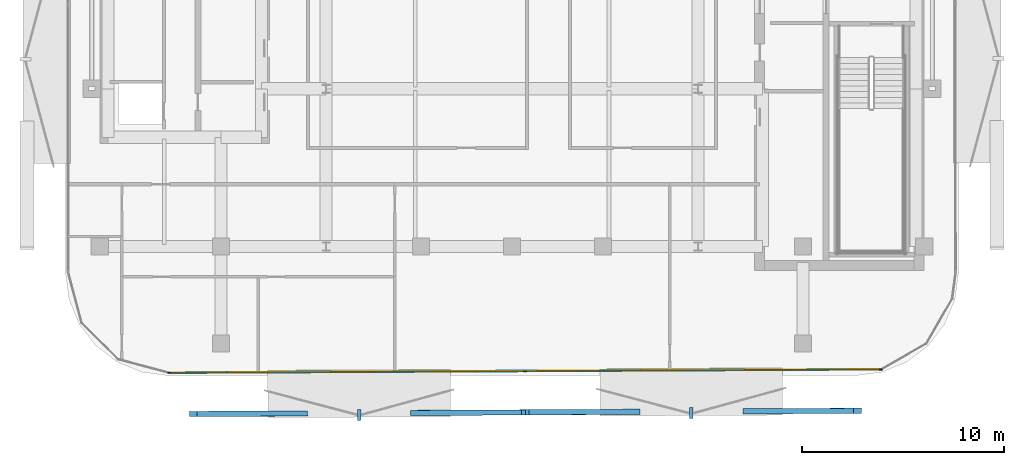
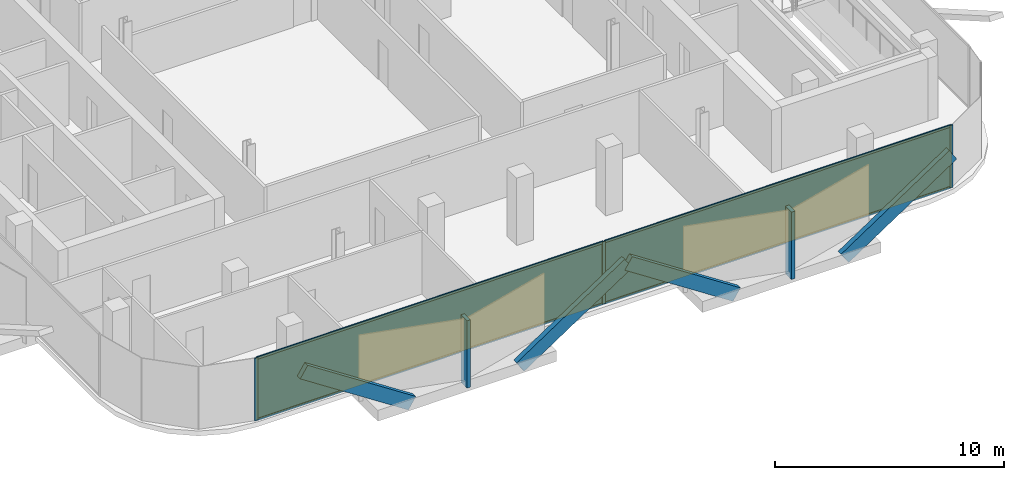
# One storey, part 7 of 14: 13 members, 2 plates, 1 curtain wall.
"""IFC4 building model written with IfcOpenShell, lengths in metres."""

from ifc_helpers import new_model, si_unit, direction, frame, frame_2d, origin, origin_2d, place, context, subcontext, project, spatial, rectangle, extrude, material, layer, layer_set, material_profile, profile_set, type_object, element, aggregate, save


model = new_model("IFC4")

# Units and contexts
model_context = context("Model", 3, precision=1e-05, world=origin(), true_north=direction((0.0, 1.0)))
body_context = subcontext(model_context, "Body", "Model", "MODEL_VIEW")
ifc_project = project(units=[si_unit("LENGTHUNIT", "METRE"), si_unit("AREAUNIT", "SQUARE_METRE"), si_unit("VOLUMEUNIT", "CUBIC_METRE"), si_unit("PLANEANGLEUNIT", "RADIAN"), si_unit("MASSUNIT", "GRAM", prefix="KILO")], contexts=[model_context])

# Member
ifc_material_1 = material(Name="Anodised Bronze Aluminium 6063-T6", Category="aluminium")
ifc_material_profile_1 = material_profile(ifc_material_1, rectangle(XDim=0.260009765625, YDim=0.699951171875, at=origin_2d()))
ifc_profile_set_1 = profile_set([ifc_material_profile_1], Name="Anodised Bronze Aluminium 6063-T6")
member_type_1 = type_object("IfcMemberType", Name="Bronze Diamond Solar-Screen Lattice Rib BDL-700", PredefinedType="MULLION", material=ifc_profile_set_1)
site_placement = place(None, origin())
building_placement = place(site_placement, origin())
storey_placement = place(building_placement, frame((0.0, 0.0, 240.39990234375)))
member_1_placement = place(storey_placement, frame((6.13525390625, -26.788330078125, -0.1298828125), z_axis=(-0.835725939674, -0.004059091321, 0.549131748794), x_axis=(-0.007540370975, 0.999963230548, -0.004084159318)))
member_1 = element("IfcMember", 1, at=member_1_placement, type_object=member_type_1, Name="L56 Bronze Diamond Solar Screen Lattice Rib 377A", PredefinedType="MULLION", context=body_context, shape_type="SweptSolid", body=[
    extrude(rectangle(XDim=0.260009765625, YDim=0.699951171875, at=origin_2d()), origin(), (0.0, 0.0, 1.0), 6.555908203125),
])

member_2_placement = place(storey_placement, frame((11.6142578125, -26.761962890625, -0.1298828125), z_axis=(0.835737294876, 0.004021727391, 0.549114741801), x_axis=(0.007495516814, -0.999963567548, -0.004084213926)))
member_2 = element("IfcMember", 2, at=member_2_placement, type_object=member_type_1, Name="L56 Bronze Diamond Solar Screen Lattice Rib 377B", PredefinedType="MULLION", context=body_context, shape_type="SweptSolid", body=[
    extrude(rectangle(XDim=0.260009765625, YDim=0.699951171875, at=origin_2d()), origin(), (0.0, 0.0, 1.0), 6.55615234375),
])

member_3_placement = place(storey_placement, frame((-10.302001953125, -26.86767578125, -0.1298828125), z_axis=(-0.835725939674, -0.004059091321, 0.549131748794), x_axis=(-0.007540370975, 0.999963230548, -0.004084159318)))
member_3 = element("IfcMember", 3, at=member_3_placement, type_object=member_type_1, Name="L56 Bronze Diamond Solar Screen Lattice Rib 378A", PredefinedType="MULLION", context=body_context, shape_type="SweptSolid", body=[
    extrude(rectangle(XDim=0.260009765625, YDim=0.699951171875, at=origin_2d()), origin(), (0.0, 0.0, 1.0), 6.555908203125),
])

member_4_placement = place(storey_placement, frame((-4.822998046875, -26.84130859375, -0.1298828125), z_axis=(0.835737294876, 0.004021727391, 0.549114741801), x_axis=(0.007495516814, -0.999963567548, -0.004084213926)))
member_4 = element("IfcMember", 4, at=member_4_placement, type_object=member_type_1, Name="L56 Bronze Diamond Solar Screen Lattice Rib 378B", PredefinedType="MULLION", context=body_context, shape_type="SweptSolid", body=[
    extrude(rectangle(XDim=0.260009765625, YDim=0.699951171875, at=origin_2d()), origin(), (0.0, 0.0, 1.0), 6.55615234375),
])

ifc_material_2 = material(Name="Anodised Bronze Aluminium 6063-T6", Category="aluminium")
ifc_material_profile_2 = material_profile(ifc_material_2, rectangle(XDim=0.179931640625, YDim=0.5400390625, at=origin_2d()))
ifc_profile_set_2 = profile_set([ifc_material_profile_2], Name="Anodised Bronze Aluminium 6063-T6")
member_type_2 = type_object("IfcMemberType", Name="Bronze Solar-Screen Vertical Fold Fin BSF-540", PredefinedType="MULLION", material=ifc_profile_set_2)
member_5_placement = place(storey_placement, frame((8.875244140625, -26.855224609375, -0.1298828125), z_axis=(0.0, 0.0, 1.0), x_axis=(-0.999988059021, -0.004886902454, 0.0)))
member_5 = element("IfcMember", 5, at=member_5_placement, type_object=member_type_2, Name="L56 Bronze Solar Screen Vertical Fin 377", PredefinedType="MULLION", context=body_context, shape_type="SweptSolid", body=[
    extrude(rectangle(XDim=0.179931640625, YDim=0.5400390625, at=origin_2d()), origin(), (0.0, 0.0, 1.0), 3.60009765625),
])

member_6_placement = place(storey_placement, frame((-7.56201171875, -26.9345703125, -0.1298828125), z_axis=(0.0, 0.0, 1.0), x_axis=(-0.999988059021, -0.004886902454, 0.0)))
member_6 = element("IfcMember", 6, at=member_6_placement, type_object=member_type_2, Name="L56 Bronze Solar Screen Vertical Fin 378", PredefinedType="MULLION", context=body_context, shape_type="SweptSolid", body=[
    extrude(rectangle(XDim=0.179931640625, YDim=0.5400390625, at=origin_2d()), origin(), (0.0, 0.0, 1.0), 3.60009765625),
])

ifc_material_3 = material(Name="Anodised Bronze Aluminium 6063-T6", Category="aluminium")
ifc_material_profile_3 = material_profile(ifc_material_3, rectangle(XDim=0.06005859375, YDim=0.159912109375, at=origin_2d()))
ifc_profile_set_3 = profile_set([ifc_material_profile_3], Name="Anodised Bronze Aluminium 6063-T6")
member_type_3 = type_object("IfcMemberType", Name="CW-Z4 Mullion 60x160", PredefinedType="MULLION", material=ifc_profile_set_3)
member_7_placement = place(storey_placement, frame((18.25341796875, -24.68994140625, 0.0), z_axis=(0.0, 0.0, 1.0), x_axis=(0.004824986425, -0.999988359685, 0.0)))
member_7 = element("IfcMember", 7, at=member_7_placement, type_object=member_type_3, Name="CW-Z4 mullion 1", PredefinedType="MULLION", context=body_context, shape_type="SweptSolid", body=[
    extrude(rectangle(XDim=0.06005859375, YDim=0.159912109375, at=origin_2d()), origin(), (0.0, 0.0, 1.0), 3.340087890625),
])

member_8_placement = place(storey_placement, frame((0.646240234375, -24.77490234375, 0.0), z_axis=(0.0, 0.0, 1.0), x_axis=(0.004824986425, -0.999988359685, 0.0)))
member_8 = element("IfcMember", 8, at=member_8_placement, type_object=member_type_3, Name="CW-Z4 mullion 2", PredefinedType="MULLION", context=body_context, shape_type="SweptSolid", body=[
    extrude(rectangle(XDim=0.06005859375, YDim=0.159912109375, at=origin_2d()), origin(), (0.0, 0.0, 1.0), 3.340087890625),
])

member_9_placement = place(storey_placement, frame((-16.960693359375, -24.85986328125, 0.0), z_axis=(0.0, 0.0, 1.0), x_axis=(0.004824986425, -0.999988359685, 0.0)))
member_9 = element("IfcMember", 9, at=member_9_placement, type_object=member_type_3, Name="CW-Z4 mullion 3", PredefinedType="MULLION", context=body_context, shape_type="SweptSolid", body=[
    extrude(rectangle(XDim=0.06005859375, YDim=0.159912109375, at=origin_2d()), origin(), (0.0, 0.0, 1.0), 3.340087890625),
])

ifc_material_4 = material(Name="Anodised Bronze Aluminium 6063-T6", Category="aluminium")
ifc_material_profile_4 = material_profile(ifc_material_4, rectangle(XDim=0.06005859375, YDim=0.125, at=origin_2d()))
ifc_profile_set_4 = profile_set([ifc_material_profile_4], Name="Anodised Bronze Aluminium 6063-T6")
member_type_4 = type_object("IfcMemberType", Name="CW-Z4 Transom 60x125", PredefinedType="USERDEFINED", material=ifc_profile_set_4)
member_10_placement = place(storey_placement, frame((18.223388671875, -24.690185546875, 0.030029296875), z_axis=(-0.999988412677, -0.004813991218, 0.0), x_axis=(0.004813991218, -0.999988412677, 0.0)))
member_10 = element("IfcMember", 10, at=member_10_placement, type_object=member_type_4, Name="CW-Z4 transom 1.1", ObjectType="TRANSOM", PredefinedType="USERDEFINED", context=body_context, shape_type="SweptSolid", body=[
    extrude(rectangle(XDim=0.06005859375, YDim=0.125, at=origin_2d()), origin(), (0.0, 0.0, 1.0), 17.54736328125),
])

member_11_placement = place(storey_placement, frame((18.223388671875, -24.690185546875, 3.31005859375), z_axis=(-0.999988412677, -0.004813991218, 0.0), x_axis=(0.004813991218, -0.999988412677, 0.0)))
member_11 = element("IfcMember", 11, at=member_11_placement, type_object=member_type_4, Name="CW-Z4 transom 1.2", ObjectType="TRANSOM", PredefinedType="USERDEFINED", context=body_context, shape_type="SweptSolid", body=[
    extrude(rectangle(XDim=0.06005859375, YDim=0.125, at=origin_2d()), origin(), (0.0, 0.0, 1.0), 17.54736328125),
])

member_12_placement = place(storey_placement, frame((0.616455078125, -24.775146484375, 0.030029296875), z_axis=(-0.999988413, -0.004813924241, 0.0), x_axis=(0.004813924241, -0.999988413, 0.0)))
member_12 = element("IfcMember", 12, at=member_12_placement, type_object=member_type_4, Name="CW-Z4 transom 2.1", ObjectType="TRANSOM", PredefinedType="USERDEFINED", context=body_context, shape_type="SweptSolid", body=[
    extrude(rectangle(XDim=0.06005859375, YDim=0.125, at=origin_2d()), origin(), (0.0, 0.0, 1.0), 17.547607421875),
])

member_13_placement = place(storey_placement, frame((0.616455078125, -24.775146484375, 3.31005859375), z_axis=(-0.999988413, -0.004813924241, 0.0), x_axis=(0.004813924241, -0.999988413, 0.0)))
member_13 = element("IfcMember", 13, at=member_13_placement, type_object=member_type_4, Name="CW-Z4 transom 2.2", ObjectType="TRANSOM", PredefinedType="USERDEFINED", context=body_context, shape_type="SweptSolid", body=[
    extrude(rectangle(XDim=0.06005859375, YDim=0.125, at=origin_2d()), origin(), (0.0, 0.0, 1.0), 17.547607421875),
])

# Plate
ifc_material_5 = material(Name="Low-E Solar Control Laminated Glass", Category="glass")
ifc_layer_1 = layer(ifc_material_5, 0.030029296875, Name="Low-E Solar Control Laminated Glass")
ifc_layer_set_1 = layer_set([ifc_layer_1], Name="Low-E Solar Control Laminated Glass")
plate_type = type_object("IfcPlateType", Name="CW-Z4 Low-E Double Glazed Panel 30mm", PredefinedType="CURTAIN_PANEL", material=ifc_layer_set_1)
plate_1_placement = place(storey_placement, frame((9.449951171875, -24.732421875, 0.06005859375), z_axis=(0.0, 0.0, 1.0), x_axis=(-0.999988359685, -0.004824986425, 0.0)))
plate_1 = element("IfcPlate", 14, at=plate_1_placement, type_object=plate_type, Name="CW-Z4 panel 1.1", PredefinedType="CURTAIN_PANEL", context=body_context, shape_type="SweptSolid", body=[
    extrude(rectangle(XDim=17.54736328125, YDim=0.030029296875, at=origin_2d()), origin(), (0.0, 0.0, 1.0), 3.219970703125),
])

plate_2_placement = place(storey_placement, frame((-8.1572265625, -24.8173828125, 0.06005859375), z_axis=(0.0, 0.0, 1.0), x_axis=(-0.999988359685, -0.004824986425, 0.0)))
plate_2 = element("IfcPlate", 15, at=plate_2_placement, type_object=plate_type, Name="CW-Z4 panel 2.1", PredefinedType="CURTAIN_PANEL", context=body_context, shape_type="SweptSolid", body=[
    extrude(rectangle(XDim=17.54736328125, YDim=0.030029296875, at=origin_2d()), origin(), (0.0, 0.0, 1.0), 3.219970703125),
])

# Site, building, storey
site = spatial("IfcSite", under=ifc_project, at=site_placement, CompositionType="ELEMENT")
building = spatial("IfcBuilding", under=site, at=building_placement, Name="Khairoan Windgate Tower", CompositionType="ELEMENT")
storey = spatial("IfcBuildingStorey", under=building, at=storey_placement, Name="L56", CompositionType="ELEMENT", Elevation=240.39990234375)

# Curtain wall
ifc_material_6 = material(Name="Anodised Bronze Aluminium 6063-T6", Category="aluminium")
ifc_layer_2 = layer(ifc_material_6, 0.159912109375, Name="Anodised Bronze Aluminium 6063-T6")
ifc_layer_set_2 = layer_set([ifc_layer_2], Name="Anodised Bronze Aluminium 6063-T6")
curtain_wall_type = type_object("IfcCurtainWallType", Name="Sky Residence Unitised Curtain Wall CW-Z4", PredefinedType="NOTDEFINED", material=ifc_layer_set_2)
curtain_wall_placement = place(storey_placement, frame((18.283447265625, -24.689697265625, 0.0), z_axis=(0.0, 0.0, 1.0), x_axis=(-0.999988330836, -0.004830961808, 0.0)))
curtain_wall = element("IfcCurtainWall", 16, at=curtain_wall_placement, inside=storey, type_object=curtain_wall_type, Name="L56 Unitised Curtain Wall 1", PredefinedType="NOTDEFINED", context=body_context, shape_type="SweptSolid", body=[
    extrude(rectangle(XDim=35.274658203125, YDim=0.010009765625, at=frame_2d((17.63720703125, 0.0))), origin(), (0.0, 0.0, 1.0), 3.340087890625),
])

aggregate(curtain_wall, [member_7, member_8, member_9, member_10, member_11, plate_1, member_12, member_13, plate_2, member_1, member_2, member_5, member_3, member_4, member_6])

save(model, "model.ifc")
